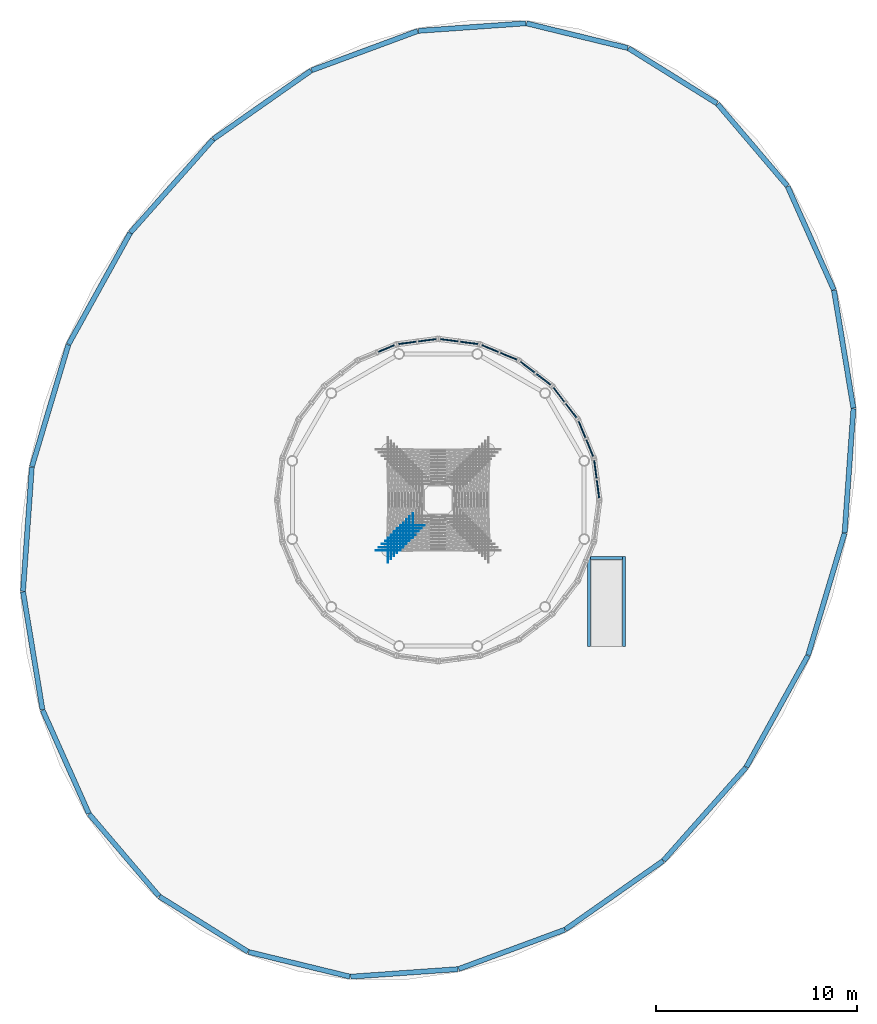
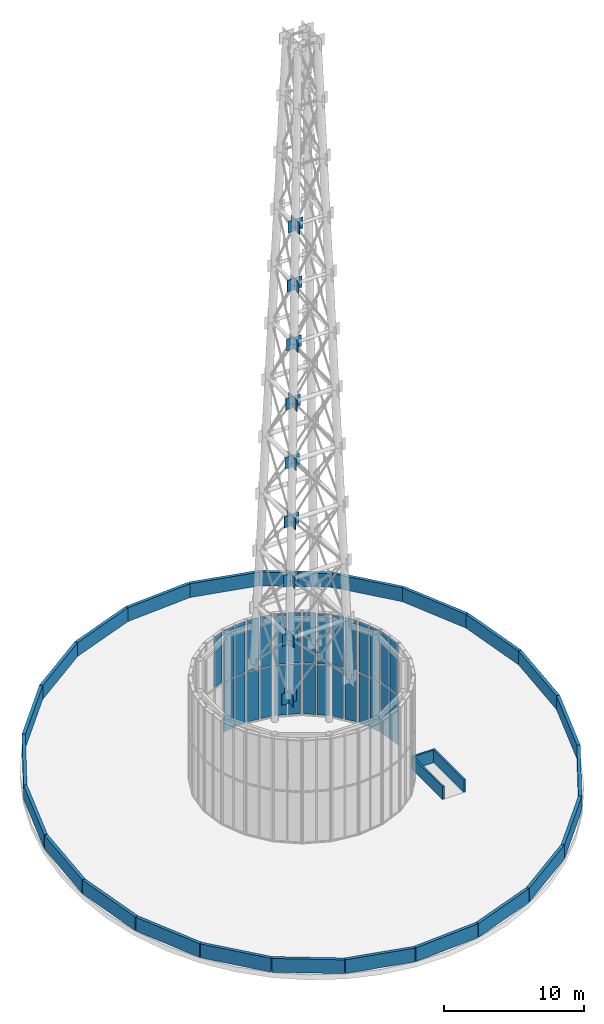
# One storey, part 10 of 11: 29 plates, 27 walls, 18 discrete accessories, 8 elements without a shape of their own.
"""IFC4 building model written with IfcOpenShell, lengths in metres."""

from ifc_helpers import new_model, si_unit, direction, frame, frame_2d, origin, origin_2d, place, context, subcontext, project, spatial, rectangle, extrude, material, layer, layer_set, type_object, element, aggregate, save


model = new_model("IFC4")

# Units and contexts
model_context = context("Model", 3, precision=1e-05, world=origin(), true_north=direction((0.0, 1.0)))
body_context = subcontext(model_context, "Body", "Model", "MODEL_VIEW")
ifc_project = project(units=[si_unit("LENGTHUNIT", "METRE"), si_unit("AREAUNIT", "SQUARE_METRE"), si_unit("VOLUMEUNIT", "CUBIC_METRE"), si_unit("PLANEANGLEUNIT", "RADIAN"), si_unit("MASSUNIT", "GRAM", prefix="KILO")], contexts=[model_context])

# Site, building, storey
site_placement = place(None, origin())
site = spatial("IfcSite", under=ifc_project, at=site_placement, CompositionType="ELEMENT")
building_placement = place(site_placement, origin())
building = spatial("IfcBuilding", under=site, at=building_placement, Name="Vermilion Reach Broadcast Tower", CompositionType="ELEMENT")
storey_placement = place(building_placement, frame((0.0, 0.0, 329.699951171875)))
storey = spatial("IfcBuildingStorey", under=building, at=storey_placement, Name="RF", CompositionType="ELEMENT", Elevation=329.699951171875)

# Curtain wall, plates
ifc_material_1 = material(Name="Low-e laminated clear glass in aluminium frame", Category="aluminium")
curtain_wall_type = type_object("IfcCurtainWallType", Name="Drum louvre curtain wall", PredefinedType="NOTDEFINED", material=ifc_material_1)
placement = place(storey_placement, origin())
curtain_wall_1 = element("IfcCurtainWall", 1, at=placement, inside=storey, type_object=curtain_wall_type, Name="Drum louvre wall RF 01", PredefinedType="NOTDEFINED")
ifc_material_2 = material(Name="Anodised aluminium louvre", Category="aluminium")
ifc_layer_1 = layer(ifc_material_2, 0.06005859375)
ifc_layer_set_1 = layer_set([ifc_layer_1], Name="Drum louvre glass panel")
plate_type = type_object("IfcPlateType", Name="Drum louvre glass panel", PredefinedType="CURTAIN_PANEL", material=ifc_layer_set_1)
plate_1_placement = place(storey_placement, frame((1.928466796875, 0.54248046875, 0.10009765625), z_axis=(0.0, 0.0, 1.0), x_axis=(-0.13052619222, 0.991444861374, 0.0)))
plate_1 = element("IfcPlate", 2, at=plate_1_placement, type_object=plate_type, Name="Drum louvre wall glass panel RF 01.1.1", PredefinedType="CURTAIN_PANEL", context=body_context, shape_type="SweptSolid", body=[
    extrude(rectangle(XDim=0.894287109375, YDim=0.06005859375, at=origin_2d()), origin(), (0.0, 0.0, 1.0), 4.35009765625),
])
plate_2_placement = place(storey_placement, frame((1.928466796875, 0.54248046875, 4.550048828125), z_axis=(0.0, 0.0, 1.0), x_axis=(-0.13052619222, 0.991444861374, 0.0)))
plate_2 = element("IfcPlate", 3, at=plate_2_placement, type_object=plate_type, Name="Drum louvre wall glass panel RF 01.1.2", PredefinedType="CURTAIN_PANEL", context=body_context, shape_type="SweptSolid", body=[
    extrude(rectangle(XDim=0.894287109375, YDim=0.06005859375, at=origin_2d()), origin(), (0.0, 0.0, 1.0), 4.39990234375),
])
plate_3_placement = place(storey_placement, frame((1.798828125, 1.528076171875, 0.10009765625), z_axis=(0.0, 0.0, 1.0), x_axis=(-0.13052619222, 0.991444861374, 0.0)))
plate_3 = element("IfcPlate", 4, at=plate_3_placement, type_object=plate_type, Name="Drum louvre wall glass panel RF 01.2.1", PredefinedType="CURTAIN_PANEL", context=body_context, shape_type="SweptSolid", body=[
    extrude(rectangle(XDim=0.894287109375, YDim=0.06005859375, at=origin_2d()), origin(), (0.0, 0.0, 1.0), 4.35009765625),
])
plate_4_placement = place(storey_placement, frame((1.798828125, 1.528076171875, 4.550048828125), z_axis=(0.0, 0.0, 1.0), x_axis=(-0.13052619222, 0.991444861374, 0.0)))
plate_4 = element("IfcPlate", 5, at=plate_4_placement, type_object=plate_type, Name="Drum louvre wall glass panel RF 01.2.2", PredefinedType="CURTAIN_PANEL", context=body_context, shape_type="SweptSolid", body=[
    extrude(rectangle(XDim=0.894287109375, YDim=0.06005859375, at=origin_2d()), origin(), (0.0, 0.0, 1.0), 4.39990234375),
])
aggregate(curtain_wall_1, [plate_1, plate_2, plate_3, plate_4])

curtain_wall_2 = element("IfcCurtainWall", 6, at=placement, inside=storey, type_object=curtain_wall_type, Name="Drum louvre wall RF 02", PredefinedType="NOTDEFINED")
plate_5_placement = place(storey_placement, frame((1.51806640625, 2.575927734375, 0.10009765625), z_axis=(0.0, 0.0, 1.0), x_axis=(-0.382683432365, 0.923879532511, 0.0)))
plate_5 = element("IfcPlate", 7, at=plate_5_placement, type_object=plate_type, Name="Drum louvre wall glass panel RF 02.1.1", PredefinedType="CURTAIN_PANEL", context=body_context, shape_type="SweptSolid", body=[
    extrude(rectangle(XDim=0.894287109375, YDim=0.06005859375, at=origin_2d()), origin(), (0.0, 0.0, 1.0), 4.35009765625),
])
plate_6_placement = place(storey_placement, frame((1.51806640625, 2.575927734375, 4.550048828125), z_axis=(0.0, 0.0, 1.0), x_axis=(-0.382683432365, 0.923879532511, 0.0)))
plate_6 = element("IfcPlate", 8, at=plate_6_placement, type_object=plate_type, Name="Drum louvre wall glass panel RF 02.1.2", PredefinedType="CURTAIN_PANEL", context=body_context, shape_type="SweptSolid", body=[
    extrude(rectangle(XDim=0.894287109375, YDim=0.06005859375, at=origin_2d()), origin(), (0.0, 0.0, 1.0), 4.39990234375),
])
plate_7_placement = place(storey_placement, frame((1.137451171875, 3.49462890625, 0.10009765625), z_axis=(0.0, 0.0, 1.0), x_axis=(-0.382683432365, 0.923879532511, 0.0)))
plate_7 = element("IfcPlate", 9, at=plate_7_placement, type_object=plate_type, Name="Drum louvre wall glass panel RF 02.2.1", PredefinedType="CURTAIN_PANEL", context=body_context, shape_type="SweptSolid", body=[
    extrude(rectangle(XDim=0.894287109375, YDim=0.06005859375, at=origin_2d()), origin(), (0.0, 0.0, 1.0), 4.35009765625),
])
plate_8_placement = place(storey_placement, frame((1.137451171875, 3.49462890625, 4.550048828125), z_axis=(0.0, 0.0, 1.0), x_axis=(-0.382683432365, 0.923879532511, 0.0)))
plate_8 = element("IfcPlate", 10, at=plate_8_placement, type_object=plate_type, Name="Drum louvre wall glass panel RF 02.2.2", PredefinedType="CURTAIN_PANEL", context=body_context, shape_type="SweptSolid", body=[
    extrude(rectangle(XDim=0.894287109375, YDim=0.06005859375, at=origin_2d()), origin(), (0.0, 0.0, 1.0), 4.39990234375),
])
aggregate(curtain_wall_2, [plate_5, plate_6, plate_7, plate_8])

curtain_wall_3 = element("IfcCurtainWall", 11, at=placement, inside=storey, type_object=curtain_wall_type, Name="Drum louvre wall RF 03", PredefinedType="NOTDEFINED")
plate_9_placement = place(storey_placement, frame((0.59521484375, 4.43408203125, 0.10009765625), z_axis=(0.0, 0.0, 1.0), x_axis=(-0.608761429009, 0.793353340291, 0.0)))
plate_9 = element("IfcPlate", 12, at=plate_9_placement, type_object=plate_type, Name="Drum louvre wall glass panel RF 03.1.1", PredefinedType="CURTAIN_PANEL", context=body_context, shape_type="SweptSolid", body=[
    extrude(rectangle(XDim=0.894287109375, YDim=0.06005859375, at=origin_2d()), origin(), (0.0, 0.0, 1.0), 4.35009765625),
])
plate_10_placement = place(storey_placement, frame((0.59521484375, 4.43408203125, 4.550048828125), z_axis=(0.0, 0.0, 1.0), x_axis=(-0.608761429009, 0.793353340291, 0.0)))
plate_10 = element("IfcPlate", 13, at=plate_10_placement, type_object=plate_type, Name="Drum louvre wall glass panel RF 03.1.2", PredefinedType="CURTAIN_PANEL", context=body_context, shape_type="SweptSolid", body=[
    extrude(rectangle(XDim=0.894287109375, YDim=0.06005859375, at=origin_2d()), origin(), (0.0, 0.0, 1.0), 4.39990234375),
])
plate_11_placement = place(storey_placement, frame((-0.010009765625, 5.222900390625, 0.10009765625), z_axis=(0.0, 0.0, 1.0), x_axis=(-0.608761429009, 0.793353340291, 0.0)))
plate_11 = element("IfcPlate", 14, at=plate_11_placement, type_object=plate_type, Name="Drum louvre wall glass panel RF 03.2.1", PredefinedType="CURTAIN_PANEL", context=body_context, shape_type="SweptSolid", body=[
    extrude(rectangle(XDim=0.894287109375, YDim=0.06005859375, at=origin_2d()), origin(), (0.0, 0.0, 1.0), 4.35009765625),
])
plate_12_placement = place(storey_placement, frame((-0.010009765625, 5.222900390625, 4.550048828125), z_axis=(0.0, 0.0, 1.0), x_axis=(-0.608761429009, 0.793353340291, 0.0)))
plate_12 = element("IfcPlate", 15, at=plate_12_placement, type_object=plate_type, Name="Drum louvre wall glass panel RF 03.2.2", PredefinedType="CURTAIN_PANEL", context=body_context, shape_type="SweptSolid", body=[
    extrude(rectangle(XDim=0.894287109375, YDim=0.06005859375, at=origin_2d()), origin(), (0.0, 0.0, 1.0), 4.39990234375),
])
aggregate(curtain_wall_3, [plate_9, plate_10, plate_11, plate_12])

curtain_wall_4 = element("IfcCurtainWall", 16, at=placement, inside=storey, type_object=curtain_wall_type, Name="Drum louvre wall RF 04", PredefinedType="NOTDEFINED")
plate_13_placement = place(storey_placement, frame((-0.777099609375, 5.989990234375, 0.10009765625), z_axis=(0.0, 0.0, 1.0), x_axis=(-0.793353340291, 0.608761429009, 0.0)))
plate_13 = element("IfcPlate", 17, at=plate_13_placement, type_object=plate_type, Name="Drum louvre wall glass panel RF 04.1.1", PredefinedType="CURTAIN_PANEL", context=body_context, shape_type="SweptSolid", body=[
    extrude(rectangle(XDim=0.894287109375, YDim=0.06005859375, at=origin_2d()), origin(), (0.0, 0.0, 1.0), 4.35009765625),
])
plate_14_placement = place(storey_placement, frame((-0.777099609375, 5.989990234375, 4.550048828125), z_axis=(0.0, 0.0, 1.0), x_axis=(-0.793353340291, 0.608761429009, 0.0)))
plate_14 = element("IfcPlate", 18, at=plate_14_placement, type_object=plate_type, Name="Drum louvre wall glass panel RF 04.1.2", PredefinedType="CURTAIN_PANEL", context=body_context, shape_type="SweptSolid", body=[
    extrude(rectangle(XDim=0.894287109375, YDim=0.06005859375, at=origin_2d()), origin(), (0.0, 0.0, 1.0), 4.39990234375),
])
plate_15_placement = place(storey_placement, frame((-1.56591796875, 6.59521484375, 0.10009765625), z_axis=(0.0, 0.0, 1.0), x_axis=(-0.793353340291, 0.608761429009, 0.0)))
plate_15 = element("IfcPlate", 19, at=plate_15_placement, type_object=plate_type, Name="Drum louvre wall glass panel RF 04.2.1", PredefinedType="CURTAIN_PANEL", context=body_context, shape_type="SweptSolid", body=[
    extrude(rectangle(XDim=0.894287109375, YDim=0.06005859375, at=origin_2d()), origin(), (0.0, 0.0, 1.0), 4.35009765625),
])
plate_16_placement = place(storey_placement, frame((-1.56591796875, 6.59521484375, 4.550048828125), z_axis=(0.0, 0.0, 1.0), x_axis=(-0.793353340291, 0.608761429009, 0.0)))
plate_16 = element("IfcPlate", 20, at=plate_16_placement, type_object=plate_type, Name="Drum louvre wall glass panel RF 04.2.2", PredefinedType="CURTAIN_PANEL", context=body_context, shape_type="SweptSolid", body=[
    extrude(rectangle(XDim=0.894287109375, YDim=0.06005859375, at=origin_2d()), origin(), (0.0, 0.0, 1.0), 4.39990234375),
])
aggregate(curtain_wall_4, [plate_13, plate_14, plate_15, plate_16])

curtain_wall_5 = element("IfcCurtainWall", 21, at=placement, inside=storey, type_object=curtain_wall_type, Name="Drum louvre wall RF 05", PredefinedType="NOTDEFINED")
plate_17_placement = place(storey_placement, frame((-2.50537109375, 7.137451171875, 0.10009765625), z_axis=(0.0, 0.0, 1.0), x_axis=(-0.923879532511, 0.382683432365, 0.0)))
plate_17 = element("IfcPlate", 22, at=plate_17_placement, type_object=plate_type, Name="Drum louvre wall glass panel RF 05.1.1", PredefinedType="CURTAIN_PANEL", context=body_context, shape_type="SweptSolid", body=[
    extrude(rectangle(XDim=0.894287109375, YDim=0.06005859375, at=origin_2d()), origin(), (0.0, 0.0, 1.0), 4.35009765625),
])
plate_18_placement = place(storey_placement, frame((-2.50537109375, 7.137451171875, 4.550048828125), z_axis=(0.0, 0.0, 1.0), x_axis=(-0.923879532511, 0.382683432365, 0.0)))
plate_18 = element("IfcPlate", 23, at=plate_18_placement, type_object=plate_type, Name="Drum louvre wall glass panel RF 05.1.2", PredefinedType="CURTAIN_PANEL", context=body_context, shape_type="SweptSolid", body=[
    extrude(rectangle(XDim=0.894287109375, YDim=0.06005859375, at=origin_2d()), origin(), (0.0, 0.0, 1.0), 4.39990234375),
])
plate_19_placement = place(storey_placement, frame((-3.424072265625, 7.51806640625, 0.10009765625), z_axis=(0.0, 0.0, 1.0), x_axis=(-0.923879532511, 0.382683432365, 0.0)))
plate_19 = element("IfcPlate", 24, at=plate_19_placement, type_object=plate_type, Name="Drum louvre wall glass panel RF 05.2.1", PredefinedType="CURTAIN_PANEL", context=body_context, shape_type="SweptSolid", body=[
    extrude(rectangle(XDim=0.894287109375, YDim=0.06005859375, at=origin_2d()), origin(), (0.0, 0.0, 1.0), 4.35009765625),
])
plate_20_placement = place(storey_placement, frame((-3.424072265625, 7.51806640625, 4.550048828125), z_axis=(0.0, 0.0, 1.0), x_axis=(-0.923879532511, 0.382683432365, 0.0)))
plate_20 = element("IfcPlate", 25, at=plate_20_placement, type_object=plate_type, Name="Drum louvre wall glass panel RF 05.2.2", PredefinedType="CURTAIN_PANEL", context=body_context, shape_type="SweptSolid", body=[
    extrude(rectangle(XDim=0.894287109375, YDim=0.06005859375, at=origin_2d()), origin(), (0.0, 0.0, 1.0), 4.39990234375),
])
aggregate(curtain_wall_5, [plate_17, plate_18, plate_19, plate_20])

curtain_wall_6 = element("IfcCurtainWall", 26, at=placement, inside=storey, type_object=curtain_wall_type, Name="Drum louvre wall RF 06", PredefinedType="NOTDEFINED")
plate_21_placement = place(storey_placement, frame((-4.471923828125, 7.798828125, 0.10009765625), z_axis=(0.0, 0.0, 1.0), x_axis=(-0.991444861374, 0.13052619222, 0.0)))
plate_21 = element("IfcPlate", 27, at=plate_21_placement, type_object=plate_type, Name="Drum louvre wall glass panel RF 06.1.1", PredefinedType="CURTAIN_PANEL", context=body_context, shape_type="SweptSolid", body=[
    extrude(rectangle(XDim=0.894287109375, YDim=0.06005859375, at=origin_2d()), origin(), (0.0, 0.0, 1.0), 4.35009765625),
])
plate_22_placement = place(storey_placement, frame((-4.471923828125, 7.798828125, 4.550048828125), z_axis=(0.0, 0.0, 1.0), x_axis=(-0.991444861374, 0.13052619222, 0.0)))
plate_22 = element("IfcPlate", 28, at=plate_22_placement, type_object=plate_type, Name="Drum louvre wall glass panel RF 06.1.2", PredefinedType="CURTAIN_PANEL", context=body_context, shape_type="SweptSolid", body=[
    extrude(rectangle(XDim=0.894287109375, YDim=0.06005859375, at=origin_2d()), origin(), (0.0, 0.0, 1.0), 4.39990234375),
])
plate_23_placement = place(storey_placement, frame((-5.45751953125, 7.928466796875, 0.10009765625), z_axis=(0.0, 0.0, 1.0), x_axis=(-0.991444861374, 0.13052619222, 0.0)))
plate_23 = element("IfcPlate", 29, at=plate_23_placement, type_object=plate_type, Name="Drum louvre wall glass panel RF 06.2.1", PredefinedType="CURTAIN_PANEL", context=body_context, shape_type="SweptSolid", body=[
    extrude(rectangle(XDim=0.894287109375, YDim=0.06005859375, at=origin_2d()), origin(), (0.0, 0.0, 1.0), 4.35009765625),
])
plate_24_placement = place(storey_placement, frame((-5.45751953125, 7.928466796875, 4.550048828125), z_axis=(0.0, 0.0, 1.0), x_axis=(-0.991444861374, 0.13052619222, 0.0)))
plate_24 = element("IfcPlate", 30, at=plate_24_placement, type_object=plate_type, Name="Drum louvre wall glass panel RF 06.2.2", PredefinedType="CURTAIN_PANEL", context=body_context, shape_type="SweptSolid", body=[
    extrude(rectangle(XDim=0.894287109375, YDim=0.06005859375, at=origin_2d()), origin(), (0.0, 0.0, 1.0), 4.39990234375),
])
aggregate(curtain_wall_6, [plate_21, plate_22, plate_23, plate_24])

curtain_wall_7 = element("IfcCurtainWall", 31, at=placement, inside=storey, type_object=curtain_wall_type, Name="Drum louvre wall RF 07", PredefinedType="NOTDEFINED")
plate_25_placement = place(storey_placement, frame((-6.54248046875, 7.928466796875, 0.10009765625), z_axis=(0.0, 0.0, 1.0), x_axis=(-0.991444861374, -0.13052619222, 0.0)))
plate_25 = element("IfcPlate", 32, at=plate_25_placement, type_object=plate_type, Name="Drum louvre wall glass panel RF 07.1.1", PredefinedType="CURTAIN_PANEL", context=body_context, shape_type="SweptSolid", body=[
    extrude(rectangle(XDim=0.894287109375, YDim=0.06005859375, at=origin_2d()), origin(), (0.0, 0.0, 1.0), 4.35009765625),
])
plate_26_placement = place(storey_placement, frame((-6.54248046875, 7.928466796875, 4.550048828125), z_axis=(0.0, 0.0, 1.0), x_axis=(-0.991444861374, -0.13052619222, 0.0)))
plate_26 = element("IfcPlate", 33, at=plate_26_placement, type_object=plate_type, Name="Drum louvre wall glass panel RF 07.1.2", PredefinedType="CURTAIN_PANEL", context=body_context, shape_type="SweptSolid", body=[
    extrude(rectangle(XDim=0.894287109375, YDim=0.06005859375, at=origin_2d()), origin(), (0.0, 0.0, 1.0), 4.39990234375),
])
plate_27_placement = place(storey_placement, frame((-7.528076171875, 7.798828125, 0.10009765625), z_axis=(0.0, 0.0, 1.0), x_axis=(-0.991444861374, -0.13052619222, 0.0)))
plate_27 = element("IfcPlate", 34, at=plate_27_placement, type_object=plate_type, Name="Drum louvre wall glass panel RF 07.2.1", PredefinedType="CURTAIN_PANEL", context=body_context, shape_type="SweptSolid", body=[
    extrude(rectangle(XDim=0.894287109375, YDim=0.06005859375, at=origin_2d()), origin(), (0.0, 0.0, 1.0), 4.35009765625),
])
plate_28_placement = place(storey_placement, frame((-7.528076171875, 7.798828125, 4.550048828125), z_axis=(0.0, 0.0, 1.0), x_axis=(-0.991444861374, -0.13052619222, 0.0)))
plate_28 = element("IfcPlate", 35, at=plate_28_placement, type_object=plate_type, Name="Drum louvre wall glass panel RF 07.2.2", PredefinedType="CURTAIN_PANEL", context=body_context, shape_type="SweptSolid", body=[
    extrude(rectangle(XDim=0.894287109375, YDim=0.06005859375, at=origin_2d()), origin(), (0.0, 0.0, 1.0), 4.39990234375),
])
aggregate(curtain_wall_7, [plate_25, plate_26, plate_27, plate_28])

# Curtain wall, plate
curtain_wall_8 = element("IfcCurtainWall", 36, at=placement, inside=storey, type_object=curtain_wall_type, Name="Drum louvre wall RF 08", PredefinedType="NOTDEFINED")
plate_29_placement = place(storey_placement, frame((-8.575927734375, 7.51806640625, 4.550048828125), z_axis=(0.0, 0.0, 1.0), x_axis=(-0.923879532511, -0.382683432365, 0.0)))
plate_29 = element("IfcPlate", 37, at=plate_29_placement, type_object=plate_type, Name="Drum louvre wall glass panel RF 08.1.2", PredefinedType="CURTAIN_PANEL", context=body_context, shape_type="SweptSolid", body=[
    extrude(rectangle(XDim=0.894287109375, YDim=0.06005859375, at=origin_2d()), origin(), (0.0, 0.0, 1.0), 4.39990234375),
])
aggregate(curtain_wall_8, [plate_29])

# Walls
ifc_material_3 = material(Name="Masonry block", Category="masonry")
ifc_layer_2 = layer(ifc_material_3, 0.14990234375)
ifc_layer_set_2 = layer_set([ifc_layer_2], Name="Core kerb wall 150 mm Masonry block")
wall_type_1 = type_object("IfcWallType", Name="Core kerb wall 150 mm Masonry block", PredefinedType="PARTITIONING", material=ifc_layer_set_2)
for number, where, z_axis, x_axis, name in (
    (38, (1.47509765625, -7.260009765625, 0.0), (0.0, 0.0, 1.0), (0.0, 1.0, 0.0), "Roof access hatch kerb wall west"),
    (39, (3.22509765625, -7.260009765625, 0.0), (0.0, 0.0, 1.0), (0.0, 1.0, 0.0), "Roof access hatch kerb wall east"),
):
    element("IfcWall", number, at=place(storey_placement, frame(where, z_axis=z_axis, x_axis=x_axis)), inside=storey, type_object=wall_type_1, Name=name, PredefinedType="PARTITIONING", context=body_context, shape_type="SweptSolid", body=[
        extrude(rectangle(XDim=4.447265625, YDim=0.14990234375, at=frame_2d((2.2236328125, 0.0))), origin(), (0.0, 0.0, 1.0), 1.10009765625),
    ])
wall_1_placement = place(storey_placement, frame((1.550048828125, -2.8876953125, 0.0), z_axis=(0.0, 0.0, 1.0), x_axis=(1.0, 0.0, 0.0)))
element("IfcWall", 40, at=wall_1_placement, inside=storey, type_object=wall_type_1, Name="Roof access hatch kerb wall north", PredefinedType="PARTITIONING", context=body_context, shape_type="SweptSolid", body=[
    extrude(rectangle(XDim=1.599853515625, YDim=0.14990234375, at=frame_2d((0.7998046875, 0.0))), origin(), (0.0, 0.0, 1.0), 1.10009765625),
])
ifc_material_4 = material(Name="Precast concrete C40/50", Category="concrete")
ifc_layer_3 = layer(ifc_material_4, 0.25)
ifc_layer_set_3 = layer_set([ifc_layer_3], Name="Roof parapet 250")
wall_type_2 = type_object("IfcWallType", Name="Roof parapet 250", PredefinedType="PARAPET", material=ifc_layer_set_3)
wall_2_placement = place(storey_placement, frame((3.408935546875, 22.43359375, 0.0), z_axis=(0.0, 0.0, 1.0), x_axis=(-0.971658520079, 0.236388917588, 0.0)))
element("IfcWall", 41, at=wall_2_placement, inside=storey, type_object=wall_type_2, Name="Roof parapet 01", PredefinedType="PARAPET", context=body_context, shape_type="SweptSolid", body=[
    extrude(rectangle(XDim=5.172119140625, YDim=0.25, at=frame_2d((2.5859375, 0.0))), origin(), (0.0, 0.0, 1.0), 1.199951171875),
])
wall_3_placement = place(storey_placement, frame((-1.654541015625, 23.659423828125, 0.0), z_axis=(0.0, 0.0, 1.0), x_axis=(-0.997543623191, -0.070047982341, 0.0)))
element("IfcWall", 42, at=wall_3_placement, inside=storey, type_object=wall_type_2, Name="Roof parapet 02", PredefinedType="PARAPET", context=body_context, shape_type="SweptSolid", body=[
    extrude(rectangle(XDim=5.339599609375, YDim=0.25, at=frame_2d((2.669921875, 0.0))), origin(), (0.0, 0.0, 1.0), 1.199951171875),
])
wall_4_placement = place(storey_placement, frame((-7.015380859375, 23.27783203125, 0.0), z_axis=(0.0, 0.0, 1.0), x_axis=(-0.937769729602, -0.347257734603, 0.0)))
element("IfcWall", 43, at=wall_4_placement, inside=storey, type_object=wall_type_2, Name="Roof parapet 03", PredefinedType="PARAPET", context=body_context, shape_type="SweptSolid", body=[
    extrude(rectangle(XDim=5.617431640625, YDim=0.25, at=frame_2d((2.80859375, 0.0))), origin(), (0.0, 0.0, 1.0), 1.199951171875),
])
wall_5_placement = place(storey_placement, frame((-12.311279296875, 21.3125, 0.0), z_axis=(0.0, 0.0, 1.0), x_axis=(-0.818747431062, -0.574153850574, 0.0)))
element("IfcWall", 44, at=wall_5_placement, inside=storey, type_object=wall_type_2, Name="Roof parapet 04", PredefinedType="PARAPET", context=body_context, shape_type="SweptSolid", body=[
    extrude(rectangle(XDim=5.922119140625, YDim=0.25, at=frame_2d((2.9609375, 0.0))), origin(), (0.0, 0.0, 1.0), 1.199951171875),
])
wall_6_placement = place(storey_placement, frame((-17.181396484375, 17.89306640625, 0.0), z_axis=(0.0, 0.0, 1.0), x_axis=(-0.663248616716, -0.74839913978, 0.0)))
element("IfcWall", 45, at=wall_6_placement, inside=storey, type_object=wall_type_2, Name="Roof parapet 05", PredefinedType="PARAPET", context=body_context, shape_type="SweptSolid", body=[
    extrude(rectangle(XDim=6.173095703125, YDim=0.25, at=frame_2d((3.08642578125, 0.0))), origin(), (0.0, 0.0, 1.0), 1.199951171875),
])
wall_7_placement = place(storey_placement, frame((-21.291259765625, 13.251220703125, 0.0), z_axis=(0.0, 0.0, 1.0), x_axis=(-0.484148319894, -0.874985945227, 0.0)))
element("IfcWall", 46, at=wall_7_placement, inside=storey, type_object=wall_type_2, Name="Roof parapet 06", PredefinedType="PARAPET", context=body_context, shape_type="SweptSolid", body=[
    extrude(rectangle(XDim=6.3134765625, YDim=0.25, at=frame_2d((3.15673828125, 0.0))), origin(), (0.0, 0.0, 1.0), 1.199951171875),
])
wall_8_placement = place(storey_placement, frame((-24.358154296875, 7.70263671875, 0.0), z_axis=(0.0, 0.0, 1.0), x_axis=(-0.28639693571, -0.958111055784, 0.0)))
element("IfcWall", 47, at=wall_8_placement, inside=storey, type_object=wall_type_2, Name="Roof parapet 07", PredefinedType="PARAPET", context=body_context, shape_type="SweptSolid", body=[
    extrude(rectangle(XDim=6.313232421875, YDim=0.25, at=frame_2d((3.15673828125, 0.0))), origin(), (0.0, 0.0, 1.0), 1.199951171875),
])
wall_9_placement = place(storey_placement, frame((-26.171142578125, 1.627197265625, 0.0), z_axis=(0.0, 0.0, 1.0), x_axis=(-0.070673681193, -0.997499489116, 0.0)))
element("IfcWall", 48, at=wall_9_placement, inside=storey, type_object=wall_type_2, Name="Roof parapet 08", PredefinedType="PARAPET", context=body_context, shape_type="SweptSolid", body=[
    extrude(rectangle(XDim=6.173095703125, YDim=0.25, at=frame_2d((3.08642578125, 0.0))), origin(), (0.0, 0.0, 1.0), 1.199951171875),
])
wall_10_placement = place(storey_placement, frame((-26.60595703125, -4.559326171875, 0.0), z_axis=(0.0, 0.0, 1.0), x_axis=(0.162640450978, -0.986685402601, 0.0)))
element("IfcWall", 49, at=wall_10_placement, inside=storey, type_object=wall_type_2, Name="Roof parapet 09", PredefinedType="PARAPET", context=body_context, shape_type="SweptSolid", body=[
    extrude(rectangle(XDim=5.921875, YDim=0.25, at=frame_2d((2.9609375, 0.0))), origin(), (0.0, 0.0, 1.0), 1.199951171875),
])
wall_11_placement = place(storey_placement, frame((-25.6337890625, -10.4326171875, 0.0), z_axis=(0.0, 0.0, 1.0), x_axis=(0.408008663278, -0.912978055974, 0.0)))
element("IfcWall", 50, at=wall_11_placement, inside=storey, type_object=wall_type_2, Name="Roof parapet 10", PredefinedType="PARAPET", context=body_context, shape_type="SweptSolid", body=[
    extrude(rectangle(XDim=5.617431640625, YDim=0.25, at=frame_2d((2.80859375, 0.0))), origin(), (0.0, 0.0, 1.0), 1.199951171875),
])
wall_12_placement = place(storey_placement, frame((-23.322998046875, -15.5908203125, 0.0), z_axis=(0.0, 0.0, 1.0), x_axis=(0.647887286466, -0.761736216833, 0.0)))
element("IfcWall", 51, at=wall_12_placement, inside=storey, type_object=wall_type_2, Name="Roof parapet 11", PredefinedType="PARAPET", context=body_context, shape_type="SweptSolid", body=[
    extrude(rectangle(XDim=5.339599609375, YDim=0.25, at=frame_2d((2.669921875, 0.0))), origin(), (0.0, 0.0, 1.0), 1.199951171875),
])
for number, where, z_axis, x_axis, name in (
    (52, (-19.834716796875, -19.68310546875, 0.0), (0.0, 0.0, 1.0), (0.848708237034, -0.528861350819, 0.0), "Roof parapet 12"),
    (53, (-15.408935546875, -22.43359375, 0.0), (0.0, 0.0, 1.0), (0.971658520079, -0.236388917588, 0.0), "Roof parapet 13"),
):
    element("IfcWall", number, at=place(storey_placement, frame(where, z_axis=z_axis, x_axis=x_axis)), inside=storey, type_object=wall_type_2, Name=name, PredefinedType="PARAPET", context=body_context, shape_type="SweptSolid", body=[
        extrude(rectangle(XDim=5.172119140625, YDim=0.25, at=frame_2d((2.5859375, 0.0))), origin(), (0.0, 0.0, 1.0), 1.199951171875),
    ])
wall_13_placement = place(storey_placement, frame((-10.345458984375, -23.659423828125, 0.0), z_axis=(0.0, 0.0, 1.0), x_axis=(0.997543623191, 0.070047982341, 0.0)))
element("IfcWall", 54, at=wall_13_placement, inside=storey, type_object=wall_type_2, Name="Roof parapet 14", PredefinedType="PARAPET", context=body_context, shape_type="SweptSolid", body=[
    extrude(rectangle(XDim=5.339599609375, YDim=0.25, at=frame_2d((2.669921875, 0.0))), origin(), (0.0, 0.0, 1.0), 1.199951171875),
])
wall_14_placement = place(storey_placement, frame((-4.984619140625, -23.27783203125, 0.0), z_axis=(0.0, 0.0, 1.0), x_axis=(0.937769729602, 0.347257734603, 0.0)))
element("IfcWall", 55, at=wall_14_placement, inside=storey, type_object=wall_type_2, Name="Roof parapet 15", PredefinedType="PARAPET", context=body_context, shape_type="SweptSolid", body=[
    extrude(rectangle(XDim=5.617431640625, YDim=0.25, at=frame_2d((2.80859375, 0.0))), origin(), (0.0, 0.0, 1.0), 1.199951171875),
])
wall_15_placement = place(storey_placement, frame((0.311279296875, -21.3125, 0.0), z_axis=(0.0, 0.0, 1.0), x_axis=(0.818747431062, 0.574153850574, 0.0)))
element("IfcWall", 56, at=wall_15_placement, inside=storey, type_object=wall_type_2, Name="Roof parapet 16", PredefinedType="PARAPET", context=body_context, shape_type="SweptSolid", body=[
    extrude(rectangle(XDim=5.922119140625, YDim=0.25, at=frame_2d((2.9609375, 0.0))), origin(), (0.0, 0.0, 1.0), 1.199951171875),
])
wall_16_placement = place(storey_placement, frame((5.181396484375, -17.89306640625, 0.0), z_axis=(0.0, 0.0, 1.0), x_axis=(0.663248616716, 0.74839913978, 0.0)))
element("IfcWall", 57, at=wall_16_placement, inside=storey, type_object=wall_type_2, Name="Roof parapet 17", PredefinedType="PARAPET", context=body_context, shape_type="SweptSolid", body=[
    extrude(rectangle(XDim=6.173095703125, YDim=0.25, at=frame_2d((3.08642578125, 0.0))), origin(), (0.0, 0.0, 1.0), 1.199951171875),
])
wall_17_placement = place(storey_placement, frame((9.291259765625, -13.251220703125, 0.0), z_axis=(0.0, 0.0, 1.0), x_axis=(0.484148319894, 0.874985945227, 0.0)))
element("IfcWall", 58, at=wall_17_placement, inside=storey, type_object=wall_type_2, Name="Roof parapet 18", PredefinedType="PARAPET", context=body_context, shape_type="SweptSolid", body=[
    extrude(rectangle(XDim=6.3134765625, YDim=0.25, at=frame_2d((3.15673828125, 0.0))), origin(), (0.0, 0.0, 1.0), 1.199951171875),
])
wall_18_placement = place(storey_placement, frame((12.358154296875, -7.70263671875, 0.0), z_axis=(0.0, 0.0, 1.0), x_axis=(0.28639693571, 0.958111055784, 0.0)))
element("IfcWall", 59, at=wall_18_placement, inside=storey, type_object=wall_type_2, Name="Roof parapet 19", PredefinedType="PARAPET", context=body_context, shape_type="SweptSolid", body=[
    extrude(rectangle(XDim=6.313232421875, YDim=0.25, at=frame_2d((3.15673828125, 0.0))), origin(), (0.0, 0.0, 1.0), 1.199951171875),
])
wall_19_placement = place(storey_placement, frame((14.171142578125, -1.627197265625, 0.0), z_axis=(0.0, 0.0, 1.0), x_axis=(0.070673681193, 0.997499489116, 0.0)))
element("IfcWall", 60, at=wall_19_placement, inside=storey, type_object=wall_type_2, Name="Roof parapet 20", PredefinedType="PARAPET", context=body_context, shape_type="SweptSolid", body=[
    extrude(rectangle(XDim=6.173095703125, YDim=0.25, at=frame_2d((3.08642578125, 0.0))), origin(), (0.0, 0.0, 1.0), 1.199951171875),
])
wall_20_placement = place(storey_placement, frame((14.60595703125, 4.559326171875, 0.0), z_axis=(0.0, 0.0, 1.0), x_axis=(-0.162640450978, 0.986685402601, 0.0)))
element("IfcWall", 61, at=wall_20_placement, inside=storey, type_object=wall_type_2, Name="Roof parapet 21", PredefinedType="PARAPET", context=body_context, shape_type="SweptSolid", body=[
    extrude(rectangle(XDim=5.921875, YDim=0.25, at=frame_2d((2.9609375, 0.0))), origin(), (0.0, 0.0, 1.0), 1.199951171875),
])
wall_21_placement = place(storey_placement, frame((13.6337890625, 10.4326171875, 0.0), z_axis=(0.0, 0.0, 1.0), x_axis=(-0.408008663278, 0.912978055974, 0.0)))
element("IfcWall", 62, at=wall_21_placement, inside=storey, type_object=wall_type_2, Name="Roof parapet 22", PredefinedType="PARAPET", context=body_context, shape_type="SweptSolid", body=[
    extrude(rectangle(XDim=5.617431640625, YDim=0.25, at=frame_2d((2.80859375, 0.0))), origin(), (0.0, 0.0, 1.0), 1.199951171875),
])
wall_22_placement = place(storey_placement, frame((11.322998046875, 15.5908203125, 0.0), z_axis=(0.0, 0.0, 1.0), x_axis=(-0.647887286466, 0.761736216833, 0.0)))
element("IfcWall", 63, at=wall_22_placement, inside=storey, type_object=wall_type_2, Name="Roof parapet 23", PredefinedType="PARAPET", context=body_context, shape_type="SweptSolid", body=[
    extrude(rectangle(XDim=5.339599609375, YDim=0.25, at=frame_2d((2.669921875, 0.0))), origin(), (0.0, 0.0, 1.0), 1.199951171875),
])
wall_23_placement = place(storey_placement, frame((7.834716796875, 19.68310546875, 0.0), z_axis=(0.0, 0.0, 1.0), x_axis=(-0.848708237034, 0.528861350819, 0.0)))
element("IfcWall", 64, at=wall_23_placement, inside=storey, type_object=wall_type_2, Name="Roof parapet 24", PredefinedType="PARAPET", context=body_context, shape_type="SweptSolid", body=[
    extrude(rectangle(XDim=5.172119140625, YDim=0.25, at=frame_2d((2.5859375, 0.0))), origin(), (0.0, 0.0, 1.0), 1.199951171875),
])

# Discrete accessories
for number, where, z_axis, x_axis, name in (
    (65, (-8.5, -2.5, 8.9951171875), (0.0, 0.0, 1.0), (0.0, 1.0, 0.0), "Node plate MAST-X1 face 1 leg 1"),
    (66, (-8.5, -2.5, 8.9951171875), (0.0, 0.0, 1.0), (1.0, 0.0, 0.0), "Node plate MAST-X1 face 4 leg 2"),
    (67, (-8.345458984375, -2.345458984375, 13.9951171875), (0.0, 0.0, 1.0), (0.0, 1.0, 0.0), "Node plate MAST-T1 face 1 leg 1"),
    (68, (-8.345458984375, -2.345458984375, 13.9951171875), (0.0, 0.0, 1.0), (1.0, 0.0, 0.0), "Node plate MAST-T1 face 4 leg 2"),
    (69, (-8.19091796875, -2.19091796875, 18.9951171875), (0.0, 0.0, 1.0), (0.0, 1.0, 0.0), "Node plate MAST-T2 face 1 leg 1"),
    (70, (-8.19091796875, -2.19091796875, 18.9951171875), (0.0, 0.0, 1.0), (1.0, 0.0, 0.0), "Node plate MAST-T2 face 4 leg 2"),
    (71, (-8.036376953125, -2.036376953125, 23.9951171875), (0.0, 0.0, 1.0), (0.0, 1.0, 0.0), "Node plate MAST-T3 face 1 leg 1"),
    (72, (-8.036376953125, -2.036376953125, 23.9951171875), (0.0, 0.0, 1.0), (1.0, 0.0, 0.0), "Node plate MAST-T3 face 4 leg 2"),
    (73, (-7.8818359375, -1.8818359375, 28.9951171875), (0.0, 0.0, 1.0), (0.0, 1.0, 0.0), "Node plate MAST-T4 face 1 leg 1"),
    (74, (-7.8818359375, -1.8818359375, 28.9951171875), (0.0, 0.0, 1.0), (1.0, 0.0, 0.0), "Node plate MAST-T4 face 4 leg 2"),
    (75, (-7.727294921875, -1.727294921875, 33.9951171875), (0.0, 0.0, 1.0), (0.0, 1.0, 0.0), "Node plate MAST-T5 face 1 leg 1"),
    (76, (-7.727294921875, -1.727294921875, 33.9951171875), (0.0, 0.0, 1.0), (1.0, 0.0, 0.0), "Node plate MAST-T5 face 4 leg 2"),
    (77, (-7.57275390625, -1.57275390625, 38.9951171875), (0.0, 0.0, 1.0), (0.0, 1.0, 0.0), "Node plate MAST-T6 face 1 leg 1"),
    (78, (-7.57275390625, -1.57275390625, 38.9951171875), (0.0, 0.0, 1.0), (1.0, 0.0, 0.0), "Node plate MAST-T6 face 4 leg 2"),
    (79, (-7.418212890625, -1.418212890625, 43.9951171875), (0.0, 0.0, 1.0), (0.0, 1.0, 0.0), "Node plate MAST-T7 face 1 leg 1"),
    (80, (-7.418212890625, -1.418212890625, 43.9951171875), (0.0, 0.0, 1.0), (1.0, 0.0, 0.0), "Node plate MAST-T7 face 4 leg 2"),
    (81, (-7.263671875, -1.263671875, 48.9951171875), (0.0, 0.0, 1.0), (0.0, 1.0, 0.0), "Node plate MAST-T8 face 1 leg 1"),
    (82, (-7.263671875, -1.263671875, 48.9951171875), (0.0, 0.0, 1.0), (1.0, 0.0, 0.0), "Node plate MAST-T8 face 4 leg 2"),
):
    element("IfcDiscreteAccessory", number, at=place(storey_placement, frame(where, z_axis=z_axis, x_axis=x_axis)), inside=storey, Name=name, PredefinedType="NOTDEFINED", context=body_context, shape_type="SweptSolid", body=[
        extrude(rectangle(XDim=0.02490234375, YDim=1.2099609375, at=origin_2d()), origin(), (0.0, 0.0, 1.0), 1.010009765625),
    ])

save(model, "model.ifc")
